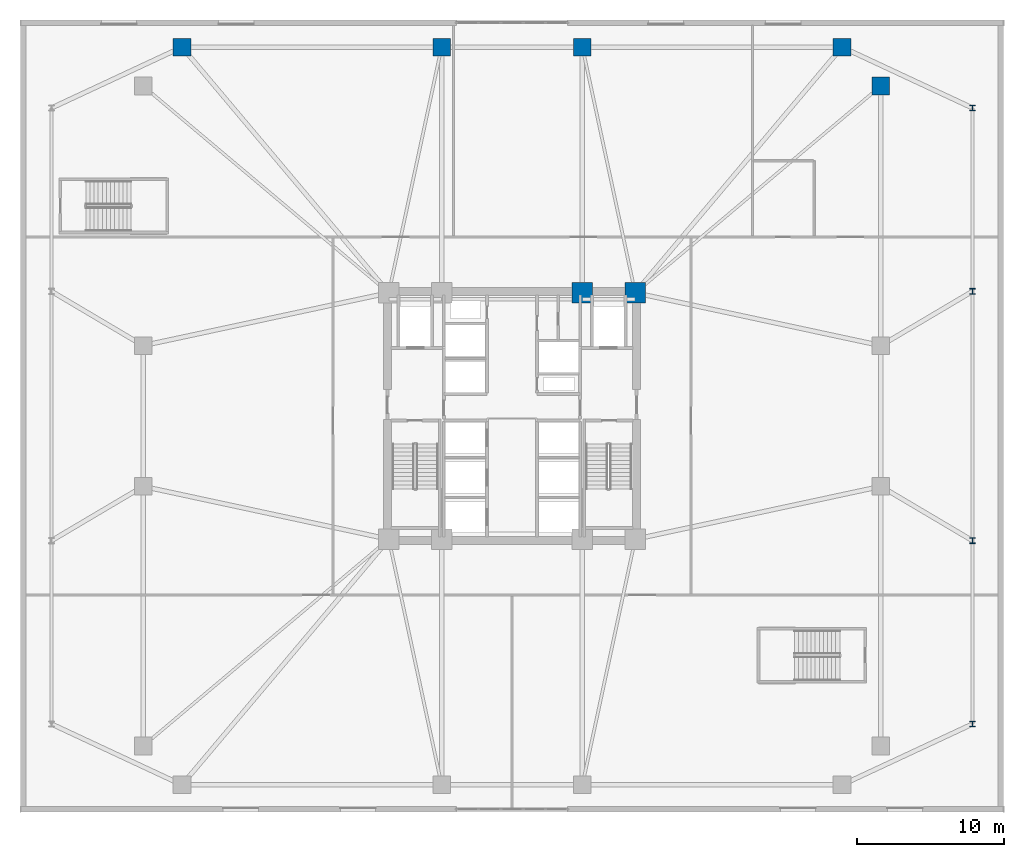
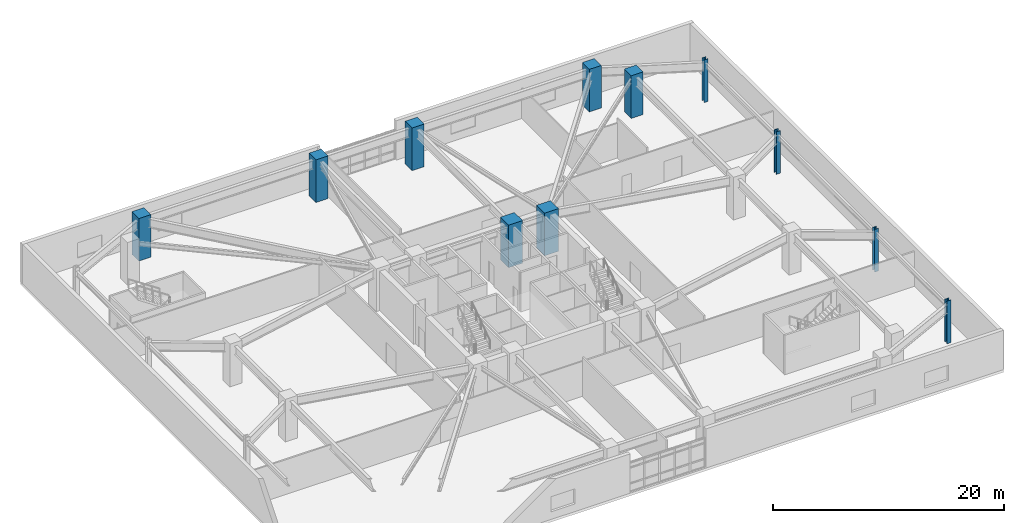
# One storey, part 2 of 21: 11 columns.
"""IFC4 building model written with IfcOpenShell, lengths in metres."""

from ifc_helpers import new_model, si_unit, direction, frame, origin, origin_2d, place, context, subcontext, project, spatial, rectangle, i_section, extrude, material, material_profile, profile_set, type_object, element, save


model = new_model("IFC4")

# Units and contexts
model_context = context("Model", 3, precision=1e-05, world=origin(), true_north=direction((0.0, 1.0)))
body_context = subcontext(model_context, "Body", "Model", "MODEL_VIEW")
ifc_project = project(units=[si_unit("LENGTHUNIT", "METRE"), si_unit("AREAUNIT", "SQUARE_METRE"), si_unit("VOLUMEUNIT", "CUBIC_METRE"), si_unit("PLANEANGLEUNIT", "RADIAN"), si_unit("MASSUNIT", "GRAM", prefix="KILO")], contexts=[model_context])

# Site, building, storey
site_placement = place(None, origin())
site = spatial("IfcSite", under=ifc_project, at=site_placement, CompositionType="ELEMENT")
building_placement = place(site_placement, origin())
building = spatial("IfcBuilding", under=site, at=building_placement, Name="Cairnveth Concourse Tower", CompositionType="ELEMENT")
storey_placement = place(building_placement, frame((0.0, 0.0, 14.5)))
storey = spatial("IfcBuildingStorey", under=building, at=storey_placement, Name="L03", CompositionType="ELEMENT", Elevation=14.5)

# Columns
ifc_material_1 = material(Name="Concrete N80 (80 MPa)", Category="concrete")
ifc_material_profile_1 = material_profile(ifc_material_1, rectangle(XDim=1.39990234375, YDim=1.39990234375, at=origin_2d()), Name="RC-COL-1400x1400")
ifc_profile_set_1 = profile_set([ifc_material_profile_1], Name="Concrete N80 (80 MPa)")
column_type_1 = type_object("IfcColumnType", Name="CORE COLUMN 1400X1400", PredefinedType="COLUMN", material=ifc_profile_set_1)
for number, where, z_axis, x_axis, name in (
    (1, (56.800048828125, 47.39990234375, 0.0), (0.0, 0.0, 1.0), (1.0, 0.0, 0.0), "Column CC7 L03"),
    (2, (60.39990234375, 47.39990234375, 0.0), (0.0, 0.0, 1.0), (1.0, 0.0, 0.0), "Column CC8 L03"),
):
    element("IfcColumn", number, at=place(storey_placement, frame(where, z_axis=z_axis, x_axis=x_axis)), inside=storey, type_object=column_type_1, Name=name, PredefinedType="COLUMN", context=body_context, shape_type="SweptSolid", body=[
        extrude(rectangle(XDim=1.39990234375, YDim=1.39990234375, at=origin_2d()), origin(), (0.0, 0.0, 1.0), 4.5),
    ])
ifc_material_profile_2 = material_profile(ifc_material_1, rectangle(XDim=1.199951171875, YDim=1.199951171875, at=origin_2d()), Name="RC-COL-1200x1200")
ifc_profile_set_2 = profile_set([ifc_material_profile_2], Name="Concrete N80 (80 MPa)")
column_type_2 = type_object("IfcColumnType", Name="PERIMETER PIER COLUMN 1200X1200", PredefinedType="COLUMN", material=ifc_profile_set_2)
for number, where, z_axis, x_axis, name in (
    (3, (77.14990234375, 61.5, 0.0), (0.0, 0.0, 1.0), (1.0, 0.0, 0.0), "Column Z1-E4 L03"),
    (4, (74.5, 64.14990234375, 0.0), (0.0, 0.0, 1.0), (1.0, 0.0, 0.0), "Column Z1-N1 L03"),
    (5, (56.800048828125, 64.14990234375, 0.0), (0.0, 0.0, 1.0), (1.0, 0.0, 0.0), "Column Z1-N2 L03"),
    (6, (47.199951171875, 64.14990234375, 0.0), (0.0, 0.0, 1.0), (1.0, 0.0, 0.0), "Column Z1-N3 L03"),
    (7, (29.5, 64.14990234375, 0.0), (0.0, 0.0, 1.0), (1.0, 0.0, 0.0), "Column Z1-N4 L03"),
):
    element("IfcColumn", number, at=place(storey_placement, frame(where, z_axis=z_axis, x_axis=x_axis)), inside=storey, type_object=column_type_2, Name=name, PredefinedType="COLUMN", context=body_context, shape_type="SweptSolid", body=[
        extrude(rectangle(XDim=1.199951171875, YDim=1.199951171875, at=origin_2d()), origin(), (0.0, 0.0, 1.0), 4.5),
    ])
ifc_material_2 = material(Name="Steel Grade 350", Category="steel")
ifc_material_profile_3 = material_profile(ifc_material_2, i_section(OverallWidth=0.39990234375, OverallDepth=0.39990234375, WebThickness=0.028076171875, FlangeThickness=0.044921875, at=origin_2d()), Name="400WC328")
ifc_profile_set_3 = profile_set([ifc_material_profile_3], Name="Steel Grade 350")
column_type_3 = type_object("IfcColumnType", Name="WELDED STEEL COLUMN 400WC328", PredefinedType="COLUMN", material=ifc_profile_set_3)
for number, where, z_axis, x_axis, name in (
    (8, (83.39990234375, 18.0, 0.0), (0.0, 0.0, 1.0), (1.0, 0.0, 0.0), "Column PC-E1 L03"),
    (9, (83.39990234375, 30.5, 0.0), (0.0, 0.0, 1.0), (1.0, 0.0, 0.0), "Column PC-E2 L03"),
    (10, (83.39990234375, 47.5, 0.0), (0.0, 0.0, 1.0), (1.0, 0.0, 0.0), "Column PC-E3 L03"),
    (11, (83.39990234375, 60.0, 0.0), (0.0, 0.0, 1.0), (1.0, 0.0, 0.0), "Column PC-E4 L03"),
):
    element("IfcColumn", number, at=place(storey_placement, frame(where, z_axis=z_axis, x_axis=x_axis)), inside=storey, type_object=column_type_3, Name=name, PredefinedType="COLUMN", context=body_context, shape_type="SweptSolid", body=[
        extrude(i_section(OverallWidth=0.39990234375, OverallDepth=0.39990234375, WebThickness=0.028076171875, FlangeThickness=0.044921875, at=origin_2d()), origin(), (0.0, 0.0, 1.0), 4.5),
    ])

save(model, "model.ifc")
